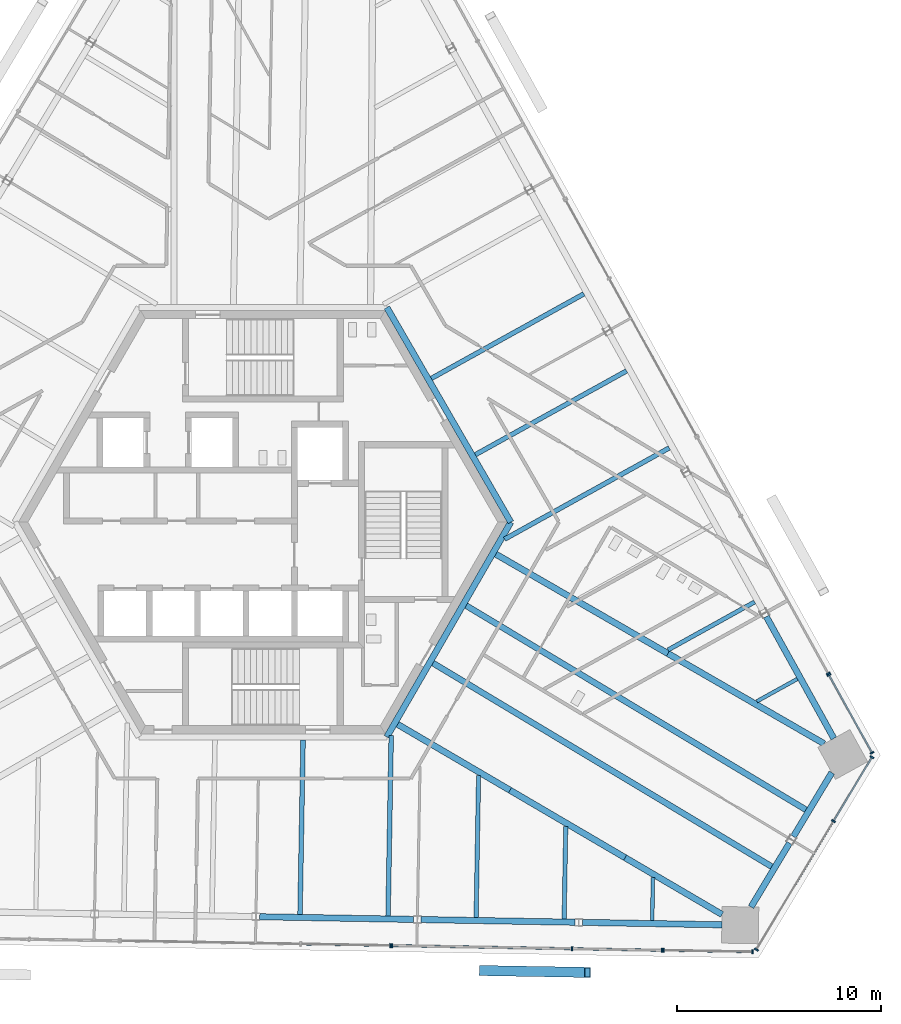
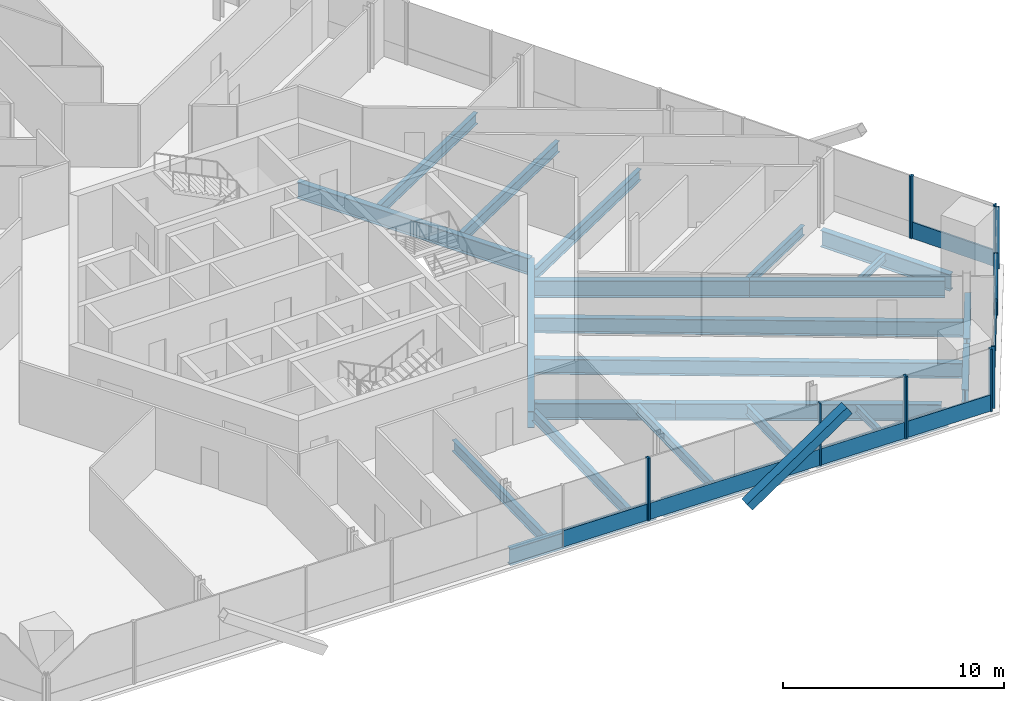
# One storey, part 6 of 19: 25 beams, 20 members, 6 elements without a shape of their own.
"""IFC4 building model written with IfcOpenShell, lengths in metres."""

from ifc_helpers import new_model, si_unit, direction, frame, origin, origin_2d, place, context, subcontext, project, spatial, rectangle, hollow_rectangle, i_section, extrude, source, transform, mapped, material, material_profile, profile_set, type_object, element, aggregate, save


model = new_model("IFC4")

# Units and contexts
model_context = context("Model", 3, precision=1e-05, world=origin(), true_north=direction((0.0, 1.0)))
body_context = subcontext(model_context, "Body", "Model", "MODEL_VIEW")
ifc_project = project(units=[si_unit("LENGTHUNIT", "METRE"), si_unit("AREAUNIT", "SQUARE_METRE"), si_unit("VOLUMEUNIT", "CUBIC_METRE"), si_unit("PLANEANGLEUNIT", "RADIAN"), si_unit("MASSUNIT", "GRAM", prefix="KILO")], contexts=[model_context])

# Site, building, storey
site_placement = place(None, origin())
site = spatial("IfcSite", under=ifc_project, at=site_placement, CompositionType="ELEMENT")
building_placement = place(site_placement, origin())
building = spatial("IfcBuilding", under=site, at=building_placement, Name="Triune Harvest Tower", CompositionType="ELEMENT")
storey_placement = place(building_placement, frame((0.0, 0.0, 205.10009765625)))
storey = spatial("IfcBuildingStorey", under=building, at=storey_placement, Name="L53", CompositionType="ELEMENT", Elevation=205.10009765625)

# Beams
ifc_material_1 = material(Name="Steel ASTM A992 Gr 50", Category="steel")
ifc_material_profile_1 = material_profile(ifc_material_1, i_section(OverallWidth=0.3046875, OverallDepth=0.914306640625, WebThickness=0.0166015625, FlangeThickness=0.02587890625, at=origin_2d()), Name="W36x160")
ifc_profile_set_1 = profile_set([ifc_material_profile_1], Name="Steel ASTM A992 Gr 50")
beam_type_1 = type_object("IfcBeamType", Name="CG-1 Core ring girder W36x160", PredefinedType="BEAM", material=ifc_profile_set_1)
shared_shape_1 = source(origin(), body_context, "Body", "SweptSolid", [
    extrude(i_section(OverallWidth=0.3046875, OverallDepth=0.914306640625, WebThickness=0.0166015625, FlangeThickness=0.02587890625, at=origin_2d()), origin(), (0.0, 0.0, 1.0), 12.176025390625),
])
for number, where, z_axis, x_axis, name in (
    (1, (12.176025390625, 0.0, -0.6171875), (-0.5000099932, 0.866019634131, 0.0), (-0.866019634131, -0.5000099932, 0.0), "beam/L53/CG1"),
    (2, (6.087890625, -10.544677734375, -0.6171875), (0.5000099932, 0.866019634131, 0.0), (-0.866019634131, 0.5000099932, 0.0), "beam/L53/CG6"),
):
    element("IfcBeam", number, at=place(storey_placement, frame(where, z_axis=z_axis, x_axis=x_axis)), inside=storey, type_object=beam_type_1, Name=name, PredefinedType="BEAM", context=body_context, shape_type="MappedRepresentation", body=[
        mapped(shared_shape_1, transform((0.0, 0.0, 0.0), scale=1.0)),
    ])
ifc_material_2 = material(Name="Steel ASTM A992 Gr 50", Category="steel")
ifc_material_profile_2 = material_profile(ifc_material_2, i_section(OverallWidth=0.307373046875, OverallDepth=0.922119140625, WebThickness=0.018310546875, FlangeThickness=0.030029296875, at=origin_2d()), Name="W36x182")
ifc_profile_set_2 = profile_set([ifc_material_profile_2], Name="Steel ASTM A992 Gr 50")
beam_type_2 = type_object("IfcBeamType", Name="HG-2 Hip girder W36x182", PredefinedType="BEAM", material=ifc_profile_set_2)
shared_shape_2 = source(origin(), body_context, "Body", "SweptSolid", [
    extrude(i_section(OverallWidth=0.307373046875, OverallDepth=0.922119140625, WebThickness=0.018310546875, FlangeThickness=0.030029296875, at=origin_2d()), origin(), (0.0, 0.0, 1.0), 9.7568359375),
])
beam_1_placement = place(storey_placement, frame((19.893310546875, -6.451904296875, -0.62109375), z_axis=(-0.866026409454, 0.499998258125, 0.0), x_axis=(-0.499998258125, -0.866026409454, 0.0)))
element("IfcBeam", 3, at=beam_1_placement, inside=storey, type_object=beam_type_2, Name="beam/L53/HG2", PredefinedType="BEAM", context=body_context, shape_type="MappedRepresentation", body=[
    mapped(shared_shape_2, transform((0.0, 0.0, 0.0), scale=1.0)),
])
shared_shape_3 = source(origin(), body_context, "Body", "SweptSolid", [
    extrude(i_section(OverallWidth=0.307373046875, OverallDepth=0.922119140625, WebThickness=0.018310546875, FlangeThickness=0.030029296875, at=origin_2d()), origin(), (0.0, 0.0, 1.0), 6.549560546875),
])
beam_2_placement = place(storey_placement, frame((17.789306640625, -16.475341796875, -0.62109375), z_axis=(-0.862742829324, 0.50564296737, 0.0), x_axis=(-0.50564296737, -0.862742829324, 0.0)))
element("IfcBeam", 4, at=beam_2_placement, inside=storey, type_object=beam_type_2, Name="beam/L53/HG9", PredefinedType="BEAM", context=body_context, shape_type="MappedRepresentation", body=[
    mapped(shared_shape_3, transform((0.0, 0.0, 0.0), scale=1.0)),
])
shared_shape_4 = source(origin(), body_context, "Body", "SweptSolid", [
    extrude(i_section(OverallWidth=0.307373046875, OverallDepth=0.922119140625, WebThickness=0.018310546875, FlangeThickness=0.030029296875, at=origin_2d()), origin(), (0.0, 0.0, 1.0), 6.397216796875),
])
beam_3_placement = place(storey_placement, frame((12.138671875, -13.16357421875, -0.62109375), z_axis=(-0.862754230068, 0.505623514583, 0.0), x_axis=(-0.505623514583, -0.862754230068, 0.0)))
element("IfcBeam", 5, at=beam_3_placement, inside=storey, type_object=beam_type_2, Name="beam/L53/HG10", PredefinedType="BEAM", context=body_context, shape_type="MappedRepresentation", body=[
    mapped(shared_shape_4, transform((0.0, 0.0, 0.0), scale=1.0)),
])
ifc_material_3 = material(Name="Steel ASTM A992 Gr 50", Category="steel")
ifc_material_profile_3 = material_profile(ifc_material_3, i_section(OverallWidth=0.3046875, OverallDepth=0.914306640625, WebThickness=0.0166015625, FlangeThickness=0.02587890625, at=origin_2d()), Name="W36x160")
ifc_profile_set_3 = profile_set([ifc_material_profile_3], Name="Steel ASTM A992 Gr 50")
beam_type_3 = type_object("IfcBeamType", Name="SB-1 Spandrel beam W36x160", PredefinedType="SPANDREL", material=ifc_profile_set_3)
shared_shape_5 = source(origin(), body_context, "Body", "SweptSolid", [
    extrude(i_section(OverallWidth=0.3046875, OverallDepth=0.914306640625, WebThickness=0.0166015625, FlangeThickness=0.02587890625, at=origin_2d()), origin(), (0.0, 0.0, 1.0), 6.841796875),
])
for number, where, z_axis, x_axis, name in (
    (6, (28.0390625, -10.61962890625, -0.6171875), (-0.484833781575, 0.87460631386, 0.0), (-0.87460631386, -0.484833781575, 0.0), "beam/L53/SB1"),
    (7, (15.69921875, -19.65185546875, -0.6171875), (0.999847128578, -0.017484835582, 0.0), (0.017484835582, 0.999847128578, 0.0), "beam/L53/SB22"),
):
    element("IfcBeam", number, at=place(storey_placement, frame(where, z_axis=z_axis, x_axis=x_axis)), inside=storey, type_object=beam_type_3, Name=name, PredefinedType="SPANDREL", context=body_context, shape_type="MappedRepresentation", body=[
        mapped(shared_shape_5, transform((0.0, 0.0, 0.0), scale=1.0)),
    ])
shared_shape_6 = source(origin(), body_context, "Body", "SweptSolid", [
    extrude(i_section(OverallWidth=0.3046875, OverallDepth=0.914306640625, WebThickness=0.0166015625, FlangeThickness=0.02587890625, at=origin_2d()), origin(), (0.0, 0.0, 1.0), 3.66357421875),
])
beam_4_placement = place(storey_placement, frame((23.97509765625, -18.896240234375, -0.6171875), z_axis=(0.51504443288, 0.857163480416, 0.0), x_axis=(-0.857163480416, 0.51504443288, 0.0)))
element("IfcBeam", 8, at=beam_4_placement, inside=storey, type_object=beam_type_3, Name="beam/L53/SB23", PredefinedType="SPANDREL", context=body_context, shape_type="MappedRepresentation", body=[
    mapped(shared_shape_6, transform((0.0, 0.0, 0.0), scale=1.0)),
])
shared_shape_7 = source(origin(), body_context, "Body", "SweptSolid", [
    extrude(i_section(OverallWidth=0.3046875, OverallDepth=0.914306640625, WebThickness=0.0166015625, FlangeThickness=0.02587890625, at=origin_2d()), origin(), (0.0, 0.0, 1.0), 7.556640625),
])
for number, where, z_axis, x_axis, name in (
    (9, (-0.15283203125, -19.375244140625, -0.6171875), (0.999847797686, -0.017446531514, 0.0), (0.017446531514, 0.999847797686, 0.0), "beam/L53/SB20"),
    (10, (7.773193359375, -19.513671875, -0.6171875), (0.999847797686, -0.017446531514, 0.0), (0.017446531514, 0.999847797686, 0.0), "beam/L53/SB21"),
):
    element("IfcBeam", number, at=place(storey_placement, frame(where, z_axis=z_axis, x_axis=x_axis)), inside=storey, type_object=beam_type_3, Name=name, PredefinedType="SPANDREL", context=body_context, shape_type="MappedRepresentation", body=[
        mapped(shared_shape_7, transform((0.0, 0.0, 0.0), scale=1.0)),
    ])
shared_shape_8 = source(origin(), body_context, "Body", "SweptSolid", [
    extrude(i_section(OverallWidth=0.3046875, OverallDepth=0.914306640625, WebThickness=0.0166015625, FlangeThickness=0.02587890625, at=origin_2d()), origin(), (0.0, 0.0, 1.0), 3.663818359375),
])
beam_5_placement = place(storey_placement, frame((26.052978515625, -15.43798828125, -0.6171875), z_axis=(0.515093391182, 0.857134060903, 0.0), x_axis=(-0.857134060903, 0.515093391182, 0.0)))
element("IfcBeam", 11, at=beam_5_placement, inside=storey, type_object=beam_type_3, Name="beam/L53/SB24", PredefinedType="SPANDREL", context=body_context, shape_type="MappedRepresentation", body=[
    mapped(shared_shape_8, transform((0.0, 0.0, 0.0), scale=1.0)),
])
shared_shape_9 = source(origin(), body_context, "Body", "SweptSolid", [
    extrude(i_section(OverallWidth=0.307373046875, OverallDepth=0.922119140625, WebThickness=0.018310546875, FlangeThickness=0.030029296875, at=origin_2d()), origin(), (0.0, 0.0, 1.0), 8.859619140625),
])
beam_6_placement = place(storey_placement, frame((27.56591796875, -10.8818359375, -0.62109375), z_axis=(-0.866018088107, 0.500012670911, 0.0), x_axis=(-0.500012670911, -0.866018088107, 0.0)))
element("IfcBeam", 12, at=beam_6_placement, inside=storey, type_object=beam_type_2, Name="beam/L53/HG1", PredefinedType="BEAM", context=body_context, shape_type="MappedRepresentation", body=[
    mapped(shared_shape_9, transform((0.0, 0.0, 0.0), scale=1.0)),
])
shared_shape_10 = source(origin(), body_context, "Body", "SweptSolid", [
    extrude(i_section(OverallWidth=0.307373046875, OverallDepth=0.922119140625, WebThickness=0.018310546875, FlangeThickness=0.030029296875, at=origin_2d()), origin(), (0.0, 0.0, 1.0), 5.516845703125),
])
beam_7_placement = place(storey_placement, frame((22.548828125, -19.264892578125, -0.62109375), z_axis=(-0.862738579495, 0.505650218482, 0.0), x_axis=(-0.505650218482, -0.862738579495, 0.0)))
element("IfcBeam", 13, at=beam_7_placement, inside=storey, type_object=beam_type_2, Name="beam/L53/HG8", PredefinedType="BEAM", context=body_context, shape_type="MappedRepresentation", body=[
    mapped(shared_shape_10, transform((0.0, 0.0, 0.0), scale=1.0)),
])
ifc_material_4 = material(Name="Steel ASTM A992 Gr 50", Category="steel")
ifc_material_profile_4 = material_profile(ifc_material_4, i_section(OverallWidth=0.180908203125, OverallDepth=0.41650390625, WebThickness=0.010986328125, FlangeThickness=0.01806640625, at=origin_2d()), Name="W16x57")
ifc_profile_set_4 = profile_set([ifc_material_profile_4], Name="Steel ASTM A992 Gr 50")
beam_type_4 = type_object("IfcBeamType", Name="JT-1 Floor joist W16x57", PredefinedType="JOIST", material=ifc_profile_set_4)
shared_shape_11 = source(origin(), body_context, "Body", "SweptSolid", [
    extrude(i_section(OverallWidth=0.180908203125, OverallDepth=0.41650390625, WebThickness=0.010986328125, FlangeThickness=0.01806640625, at=origin_2d()), origin(), (0.0, 0.0, 1.0), 2.266357421875),
])
beam_8_placement = place(storey_placement, frame((26.24560546875, -7.698974609375, -0.368408203125), z_axis=(-0.874639585413, -0.484773757157, 0.0), x_axis=(0.484773757157, -0.874639585413, 0.0)))
element("IfcBeam", 14, at=beam_8_placement, inside=storey, type_object=beam_type_4, Name="beam/L53/JT1", PredefinedType="JOIST", context=body_context, shape_type="MappedRepresentation", body=[
    mapped(shared_shape_11, transform((0.0, 0.0, 0.0), scale=1.0)),
])
ifc_material_5 = material(Name="Steel ASTM A992 Gr 50", Category="steel")
ifc_material_profile_5 = material_profile(ifc_material_5, i_section(OverallWidth=0.2099609375, OverallDepth=0.535888671875, WebThickness=0.010986328125, FlangeThickness=0.017333984375, at=origin_2d()), Name="W21x68")
ifc_profile_set_5 = profile_set([ifc_material_profile_5], Name="Steel ASTM A992 Gr 50")
beam_type_5 = type_object("IfcBeamType", Name="JT-2 Floor joist W21x68", PredefinedType="JOIST", material=ifc_profile_set_5)
shared_shape_12 = source(origin(), body_context, "Body", "SweptSolid", [
    extrude(i_section(OverallWidth=0.2099609375, OverallDepth=0.535888671875, WebThickness=0.010986328125, FlangeThickness=0.017333984375, at=origin_2d()), origin(), (0.0, 0.0, 1.0), 4.8642578125),
])
beam_9_placement = place(storey_placement, frame((24.1494140625, -3.9169921875, -0.427978515625), z_axis=(-0.874606715021, -0.484833057908, 0.0), x_axis=(0.484833057908, -0.874606715021, 0.0)))
element("IfcBeam", 15, at=beam_9_placement, inside=storey, type_object=beam_type_5, Name="beam/L53/JT2", PredefinedType="JOIST", context=body_context, shape_type="MappedRepresentation", body=[
    mapped(shared_shape_12, transform((0.0, 0.0, 0.0), scale=1.0)),
])
ifc_material_6 = material(Name="Steel ASTM A992 Gr 50", Category="steel")
ifc_material_profile_6 = material_profile(ifc_material_6, i_section(OverallWidth=0.22900390625, OverallDepth=0.612060546875, WebThickness=0.011962890625, FlangeThickness=0.01953125, at=origin_2d()), Name="W24x84")
ifc_profile_set_6 = profile_set([ifc_material_profile_6], Name="Steel ASTM A992 Gr 50")
beam_type_6 = type_object("IfcBeamType", Name="JT-3 Floor joist W24x84", PredefinedType="JOIST", material=ifc_profile_set_6)
shared_shape_13 = source(origin(), body_context, "Body", "SweptSolid", [
    extrude(i_section(OverallWidth=0.22900390625, OverallDepth=0.612060546875, WebThickness=0.011962890625, FlangeThickness=0.01953125, at=origin_2d()), origin(), (0.0, 0.0, 1.0), 9.247314453125),
])
beam_10_placement = place(storey_placement, frame((19.956787109375, 3.646484375, -0.46630859375), z_axis=(-0.874621389222, -0.484806585676, 0.0), x_axis=(0.484806585676, -0.874621389222, 0.0)))
element("IfcBeam", 16, at=beam_10_placement, inside=storey, type_object=beam_type_6, Name="beam/L53/JT4", PredefinedType="JOIST", context=body_context, shape_type="MappedRepresentation", body=[
    mapped(shared_shape_13, transform((0.0, 0.0, 0.0), scale=1.0)),
])
shared_shape_14 = source(origin(), body_context, "Body", "SweptSolid", [
    extrude(i_section(OverallWidth=0.22900390625, OverallDepth=0.612060546875, WebThickness=0.011962890625, FlangeThickness=0.01953125, at=origin_2d()), origin(), (0.0, 0.0, 1.0), 8.486083984375),
])
beam_11_placement = place(storey_placement, frame((17.860595703125, 7.42822265625, -0.46630859375), z_axis=(-0.874626410095, -0.484797527598, 0.0), x_axis=(0.484797527598, -0.874626410095, 0.0)))
element("IfcBeam", 17, at=beam_11_placement, inside=storey, type_object=beam_type_6, Name="beam/L53/JT5", PredefinedType="JOIST", context=body_context, shape_type="MappedRepresentation", body=[
    mapped(shared_shape_14, transform((0.0, 0.0, 0.0), scale=1.0)),
])
shared_shape_15 = source(origin(), body_context, "Body", "SweptSolid", [
    extrude(i_section(OverallWidth=0.22900390625, OverallDepth=0.612060546875, WebThickness=0.011962890625, FlangeThickness=0.01953125, at=origin_2d()), origin(), (0.0, 0.0, 1.0), 8.561767578125),
])
beam_12_placement = place(storey_placement, frame((15.764404296875, 11.210205078125, -0.46630859375), z_axis=(-0.87461689263, -0.484814697721, 0.0), x_axis=(0.484814697721, -0.87461689263, 0.0)))
element("IfcBeam", 18, at=beam_12_placement, inside=storey, type_object=beam_type_6, Name="beam/L53/JT6", PredefinedType="JOIST", context=body_context, shape_type="MappedRepresentation", body=[
    mapped(shared_shape_15, transform((0.0, 0.0, 0.0), scale=1.0)),
])
ifc_material_7 = material(Name="Steel ASTM A992 Gr 50", Category="steel")
ifc_material_profile_7 = material_profile(ifc_material_7, i_section(OverallWidth=0.2919921875, OverallDepth=0.8408203125, WebThickness=0.0146484375, FlangeThickness=0.021728515625, at=origin_2d()), Name="W33x130")
ifc_profile_set_7 = profile_set([ifc_material_profile_7], Name="Steel ASTM A992 Gr 50")
beam_type_7 = type_object("IfcBeamType", Name="JT-6 Floor joist W33x130", PredefinedType="JOIST", material=ifc_profile_set_7)
shared_shape_16 = source(origin(), body_context, "Body", "SweptSolid", [
    extrude(i_section(OverallWidth=0.2919921875, OverallDepth=0.8408203125, WebThickness=0.0146484375, FlangeThickness=0.021728515625, at=origin_2d()), origin(), (0.0, 0.0, 1.0), 19.403564453125),
])
beam_13_placement = place(storey_placement, frame((24.98779296875, -16.915283203125, -0.58056640625), z_axis=(-0.857165243619, 0.515041498456, 0.0), x_axis=(-0.515041498456, -0.857165243619, 0.0)))
element("IfcBeam", 19, at=beam_13_placement, inside=storey, type_object=beam_type_7, Name="beam/L53/JT35", PredefinedType="JOIST", context=body_context, shape_type="MappedRepresentation", body=[
    mapped(shared_shape_16, transform((0.0, 0.0, 0.0), scale=1.0)),
])
shared_shape_17 = source(origin(), body_context, "Body", "SweptSolid", [
    extrude(i_section(OverallWidth=0.2919921875, OverallDepth=0.8408203125, WebThickness=0.0146484375, FlangeThickness=0.021728515625, at=origin_2d()), origin(), (0.0, 0.0, 1.0), 19.460205078125),
])
beam_14_placement = place(storey_placement, frame((26.666259765625, -14.12158203125, -0.58056640625), z_axis=(-0.85716841359, 0.515036222749, 0.0), x_axis=(-0.515036222749, -0.85716841359, 0.0)))
element("IfcBeam", 20, at=beam_14_placement, inside=storey, type_object=beam_type_7, Name="beam/L53/JT36", PredefinedType="JOIST", context=body_context, shape_type="MappedRepresentation", body=[
    mapped(shared_shape_17, transform((0.0, 0.0, 0.0), scale=1.0)),
])
shared_shape_18 = source(origin(), body_context, "Body", "SweptSolid", [
    extrude(i_section(OverallWidth=0.22900390625, OverallDepth=0.612060546875, WebThickness=0.011962890625, FlangeThickness=0.01953125, at=origin_2d()), origin(), (0.0, 0.0, 1.0), 8.5615234375),
])
beam_15_placement = place(storey_placement, frame((1.826171875, -19.25732421875, -0.46630859375), z_axis=(0.017451638412, 0.999847708562, 0.0), x_axis=(-0.999847708562, 0.017451638412, 0.0)))
element("IfcBeam", 21, at=beam_15_placement, inside=storey, type_object=beam_type_6, Name="beam/L53/JT30", PredefinedType="JOIST", context=body_context, shape_type="MappedRepresentation", body=[
    mapped(shared_shape_18, transform((0.0, 0.0, 0.0), scale=1.0)),
])
shared_shape_19 = source(origin(), body_context, "Body", "SweptSolid", [
    extrude(i_section(OverallWidth=0.180908203125, OverallDepth=0.41650390625, WebThickness=0.010986328125, FlangeThickness=0.01806640625, at=origin_2d()), origin(), (0.0, 0.0, 1.0), 2.104736328125),
])
beam_16_placement = place(storey_placement, frame((19.119384765625, -19.55908203125, -0.368408203125), z_axis=(0.017398758065, 0.999848630152, 0.0), x_axis=(-0.999848630152, 0.017398758065, 0.0)))
element("IfcBeam", 22, at=beam_16_placement, inside=storey, type_object=beam_type_4, Name="beam/L53/JT34", PredefinedType="JOIST", context=body_context, shape_type="MappedRepresentation", body=[
    mapped(shared_shape_19, transform((0.0, 0.0, 0.0), scale=1.0)),
])
shared_shape_20 = source(origin(), body_context, "Body", "SweptSolid", [
    extrude(i_section(OverallWidth=0.22900390625, OverallDepth=0.612060546875, WebThickness=0.011962890625, FlangeThickness=0.01953125, at=origin_2d()), origin(), (0.0, 0.0, 1.0), 8.859130859375),
])
beam_17_placement = place(storey_placement, frame((6.1494140625, -19.3330078125, -0.46630859375), z_axis=(0.017472043805, 0.999847352192, 0.0), x_axis=(-0.999847352192, 0.017472043805, 0.0)))
element("IfcBeam", 23, at=beam_17_placement, inside=storey, type_object=beam_type_6, Name="beam/L53/JT31", PredefinedType="JOIST", context=body_context, shape_type="MappedRepresentation", body=[
    mapped(shared_shape_20, transform((0.0, 0.0, 0.0), scale=1.0)),
])
shared_shape_21 = source(origin(), body_context, "Body", "SweptSolid", [
    extrude(i_section(OverallWidth=0.2099609375, OverallDepth=0.535888671875, WebThickness=0.010986328125, FlangeThickness=0.017333984375, at=origin_2d()), origin(), (0.0, 0.0, 1.0), 6.972412109375),
])
beam_18_placement = place(storey_placement, frame((10.47265625, -19.408203125, -0.427978515625), z_axis=(0.017472380522, 0.999847346308, 0.0), x_axis=(-0.999847346308, 0.017472380522, 0.0)))
element("IfcBeam", 24, at=beam_18_placement, inside=storey, type_object=beam_type_5, Name="beam/L53/JT32", PredefinedType="JOIST", context=body_context, shape_type="MappedRepresentation", body=[
    mapped(shared_shape_21, transform((0.0, 0.0, 0.0), scale=1.0)),
])
shared_shape_22 = source(origin(), body_context, "Body", "SweptSolid", [
    extrude(i_section(OverallWidth=0.2099609375, OverallDepth=0.535888671875, WebThickness=0.010986328125, FlangeThickness=0.017333984375, at=origin_2d()), origin(), (0.0, 0.0, 1.0), 4.5390625),
])
beam_19_placement = place(storey_placement, frame((14.7958984375, -19.48388671875, -0.427978515625), z_axis=(0.017480786476, 0.999847199378, 0.0), x_axis=(-0.999847199378, 0.017480786476, 0.0)))
element("IfcBeam", 25, at=beam_19_placement, inside=storey, type_object=beam_type_5, Name="beam/L53/JT33", PredefinedType="JOIST", context=body_context, shape_type="MappedRepresentation", body=[
    mapped(shared_shape_22, transform((0.0, 0.0, 0.0), scale=1.0)),
])

# Member
ifc_material_8 = material(Name="Steel ASTM A572 Gr 50", Category="steel")
ifc_material_profile_8 = material_profile(ifc_material_8, hollow_rectangle(XDim=0.5, YDim=0.5, WallThickness=0.030029296875, at=origin_2d()), Name="Box 500x500x30")
ifc_profile_set_8 = profile_set([ifc_material_profile_8], Name="Steel ASTM A572 Gr 50")
member_type_1 = type_object("IfcMemberType", Name="BR-3 Brace Box 500x500x30", PredefinedType="BRACE", material=ifc_profile_set_8)
shared_shape_23 = source(origin(), body_context, "Body", "SweptSolid", [
    extrude(hollow_rectangle(XDim=0.5, YDim=0.5, WallThickness=0.030029296875, at=origin_2d()), origin(), (0.0, 0.0, 1.0), 6.302734375),
])
member_1_placement = place(storey_placement, frame((10.772216796875, -22.018310546875, 0.0), z_axis=(0.820707963398, -0.014332465496, 0.5711681182), x_axis=(0.017460876598, 0.999847547273, 0.0)))
element("IfcMember", 26, at=member_1_placement, inside=storey, type_object=member_type_1, Name="brace/B5-F5/d1/8", PredefinedType="BRACE", context=body_context, shape_type="MappedRepresentation", body=[
    mapped(shared_shape_23, transform((0.0, 0.0, 0.0), scale=1.0)),
])

# Curtain wall, members
ifc_material_9 = material(Name="Aluminium bronze anodised", Category="aluminium")
curtain_wall_type_1 = type_object("IfcCurtainWallType", Name="CW-1 Tower stick curtain wall", PredefinedType="NOTDEFINED", material=ifc_material_9)
curtain_wall_1_placement = place(storey_placement, origin())
curtain_wall_1 = element("IfcCurtainWall", 27, at=curtain_wall_1_placement, inside=storey, type_object=curtain_wall_type_1, Name="CW-1 B5-F1 L53 run 1")
ifc_material_10 = material(Name="Aluminium bronze anodised", Category="aluminium")
ifc_material_profile_9 = material_profile(ifc_material_10, rectangle(XDim=0.199951171875, YDim=0.074951171875, at=origin_2d()), Name="MU-1 mullion 75 x 200")
ifc_profile_set_9 = profile_set([ifc_material_profile_9], Name="Aluminium bronze anodised")
member_type_2 = type_object("IfcMemberType", Name="MU-1 mullion 75 x 200", PredefinedType="MULLION", material=ifc_profile_set_9)
shared_shape_24 = source(origin(), body_context, "Body", "SweptSolid", [
    extrude(rectangle(XDim=0.199951171875, YDim=0.074951171875, at=origin_2d()), origin(), (0.0, 0.0, 1.0), 3.43994140625),
])
member_2_placement = place(storey_placement, frame((29.916748046875, -11.321533203125, 0.0), z_axis=(0.0, 0.0, 1.0), x_axis=(-0.874617675173, -0.484813285993, 0.0)))
member_2 = element("IfcMember", 28, at=member_2_placement, type_object=member_type_2, Name="CW-1 mullion B5-F1 1.1", PredefinedType="MULLION", context=body_context, shape_type="MappedRepresentation", body=[
    mapped(shared_shape_24, transform((0.0, 0.0, 0.0), scale=1.0)),
])
member_3_placement = place(storey_placement, frame((27.798583984375, -7.5, 0.0), z_axis=(0.0, 0.0, 1.0), x_axis=(-0.874617675173, -0.484813285993, 0.0)))
member_3 = element("IfcMember", 29, at=member_3_placement, type_object=member_type_2, Name="CW-1 mullion B5-F1 1.2", PredefinedType="MULLION", context=body_context, shape_type="MappedRepresentation", body=[
    mapped(shared_shape_24, transform((0.0, 0.0, 0.0), scale=1.0)),
])

# Curtain wall, member
ifc_material_11 = material(Name="Aluminium bronze anodised", Category="aluminium")
curtain_wall_type_2 = type_object("IfcCurtainWallType", Name="CW-7 Tower stick curtain wall with insulated spandrel infill", PredefinedType="NOTDEFINED", material=ifc_material_11)
curtain_wall_2_placement = place(storey_placement, origin())
curtain_wall_2 = element("IfcCurtainWall", 30, at=curtain_wall_2_placement, inside=storey, type_object=curtain_wall_type_2, Name="CW-7 B5-F1 L53 run 1001")
member_4_placement = place(storey_placement, frame((27.76220703125, -7.4345703125, 0.0), z_axis=(0.0, 0.0, 1.0), x_axis=(-0.874621401605, -0.484806563337, 0.0)))
member_4 = element("IfcMember", 31, at=member_4_placement, type_object=member_type_2, Name="CW-7 mullion B5-F1 1001.1", PredefinedType="MULLION", context=body_context, shape_type="MappedRepresentation", body=[
    mapped(shared_shape_24, transform((0.0, 0.0, 0.0), scale=1.0)),
])
aggregate(curtain_wall_2, [member_4])

curtain_wall_3_placement = place(storey_placement, origin())
curtain_wall_3 = element("IfcCurtainWall", 32, at=curtain_wall_3_placement, inside=storey, type_object=curtain_wall_type_1, Name="CW-1 B5-F5 L53 run 2001")
member_5_placement = place(storey_placement, frame((6.26708984375, -20.78955078125, 0.0), z_axis=(0.0, 0.0, 1.0), x_axis=(0.017453288654, 0.999847679757, 0.0)))
member_5 = element("IfcMember", 33, at=member_5_placement, type_object=member_type_2, Name="CW-1 mullion B5-F5 2001.4", PredefinedType="MULLION", context=body_context, shape_type="MappedRepresentation", body=[
    mapped(shared_shape_24, transform((0.0, 0.0, 0.0), scale=1.0)),
])

# Curtain wall, members
curtain_wall_4_placement = place(storey_placement, origin())
curtain_wall_4 = element("IfcCurtainWall", 34, at=curtain_wall_4_placement, inside=storey, type_object=curtain_wall_type_2, Name="CW-7 B5-F5 L53 run 3001")
member_6_placement = place(storey_placement, frame((6.342041015625, -20.791015625, 0.0), z_axis=(0.0, 0.0, 1.0), x_axis=(0.017453157774, 0.999847682041, 0.0)))
member_6 = element("IfcMember", 35, at=member_6_placement, type_object=member_type_2, Name="CW-7 mullion B5-F5 3001.1", PredefinedType="MULLION", context=body_context, shape_type="MappedRepresentation", body=[
    mapped(shared_shape_24, transform((0.0, 0.0, 0.0), scale=1.0)),
])
member_7_placement = place(storey_placement, frame((15.191650390625, -20.9453125, 0.0), z_axis=(0.0, 0.0, 1.0), x_axis=(0.017453157774, 0.999847682041, 0.0)))
member_7 = element("IfcMember", 36, at=member_7_placement, type_object=member_type_2, Name="CW-7 mullion B5-F5 3001.3", PredefinedType="MULLION", context=body_context, shape_type="MappedRepresentation", body=[
    mapped(shared_shape_24, transform((0.0, 0.0, 0.0), scale=1.0)),
])
member_8_placement = place(storey_placement, frame((19.597900390625, -21.0224609375, 0.0), z_axis=(0.0, 0.0, 1.0), x_axis=(0.017453157774, 0.999847682041, 0.0)))
member_8 = element("IfcMember", 37, at=member_8_placement, type_object=member_type_2, Name="CW-7 mullion B5-F5 3001.4", PredefinedType="MULLION", context=body_context, shape_type="MappedRepresentation", body=[
    mapped(shared_shape_24, transform((0.0, 0.0, 0.0), scale=1.0)),
])

curtain_wall_5_placement = place(storey_placement, origin())
curtain_wall_5 = element("IfcCurtainWall", 38, at=curtain_wall_5_placement, inside=storey, type_object=curtain_wall_type_1, Name="CW-1 B5-F5 L53 run 4001")
member_9_placement = place(storey_placement, frame((19.6728515625, -21.023681640625, 0.0), z_axis=(0.0, 0.0, 1.0), x_axis=(0.017444710149, 0.999847829466, 0.0)))
member_9 = element("IfcMember", 39, at=member_9_placement, type_object=member_type_2, Name="CW-1 mullion B5-F5 4001.1", PredefinedType="MULLION", context=body_context, shape_type="MappedRepresentation", body=[
    mapped(shared_shape_24, transform((0.0, 0.0, 0.0), scale=1.0)),
])
member_10_placement = place(storey_placement, frame((24.04150390625, -21.099853515625, 0.0), z_axis=(0.0, 0.0, 1.0), x_axis=(0.017444710149, 0.999847829466, 0.0)))
member_10 = element("IfcMember", 40, at=member_10_placement, type_object=member_type_2, Name="CW-1 mullion B5-F5 4001.2", PredefinedType="MULLION", context=body_context, shape_type="MappedRepresentation", body=[
    mapped(shared_shape_24, transform((0.0, 0.0, 0.0), scale=1.0)),
])

curtain_wall_6_placement = place(storey_placement, origin())
curtain_wall_6 = element("IfcCurtainWall", 41, at=curtain_wall_6_placement, inside=storey, type_object=curtain_wall_type_1, Name="CW-1 B5-F6 L53 run 1")
member_11_placement = place(storey_placement, frame((24.234619140625, -20.992919921875, 0.0), z_axis=(0.0, 0.0, 1.0), x_axis=(-0.857168135313, 0.515036685882, 0.0)))
member_11 = element("IfcMember", 42, at=member_11_placement, type_object=member_type_2, Name="CW-1 mullion B5-F6 1.1", PredefinedType="MULLION", context=body_context, shape_type="MappedRepresentation", body=[
    mapped(shared_shape_24, transform((0.0, 0.0, 0.0), scale=1.0)),
])
member_12_placement = place(storey_placement, frame((28.026611328125, -14.681884765625, 0.0), z_axis=(0.0, 0.0, 1.0), x_axis=(-0.857168135313, 0.515036685882, 0.0)))
member_12 = element("IfcMember", 43, at=member_12_placement, type_object=member_type_2, Name="CW-1 mullion B5-F6 1.3", PredefinedType="MULLION", context=body_context, shape_type="MappedRepresentation", body=[
    mapped(shared_shape_24, transform((0.0, 0.0, 0.0), scale=1.0)),
])
member_13_placement = place(storey_placement, frame((29.912841796875, -11.54248046875, 0.0), z_axis=(0.0, 0.0, 1.0), x_axis=(-0.857168135313, 0.515036685882, 0.0)))
member_13 = element("IfcMember", 44, at=member_13_placement, type_object=member_type_2, Name="CW-1 mullion B5-F6 1.4", PredefinedType="MULLION", context=body_context, shape_type="MappedRepresentation", body=[
    mapped(shared_shape_24, transform((0.0, 0.0, 0.0), scale=1.0)),
])
ifc_material_12 = material(Name="Aluminium bronze anodised", Category="aluminium")
ifc_material_profile_10 = material_profile(ifc_material_12, rectangle(XDim=0.090087890625, YDim=0.89990234375, at=origin_2d()), Name="TR-1 transom 90 x 900")
ifc_profile_set_10 = profile_set([ifc_material_profile_10], Name="Aluminium bronze anodised")
member_type_3 = type_object("IfcMemberType", Name="TR-1 transom 90 x 900", PredefinedType="USERDEFINED", material=ifc_profile_set_10)
shared_shape_25 = source(origin(), body_context, "Body", "SweptSolid", [
    extrude(rectangle(XDim=0.090087890625, YDim=0.89990234375, at=origin_2d()), origin(), (0.0, 0.0, 1.0), 7.287841796875),
])
member_14_placement = place(storey_placement, frame((24.25390625, -20.960693359375, 0.449951171875), z_axis=(0.515032643637, 0.857170564117, 0.0), x_axis=(-0.857170564117, 0.515032643637, 0.0)))
member_14 = element("IfcMember", 45, at=member_14_placement, type_object=member_type_3, Name="CW-1 transom B5-F6 1.1", ObjectType="TRANSOM", PredefinedType="USERDEFINED", context=body_context, shape_type="MappedRepresentation", body=[
    mapped(shared_shape_25, transform((0.0, 0.0, 0.0), scale=1.0)),
])
shared_shape_26 = source(origin(), body_context, "Body", "SweptSolid", [
    extrude(rectangle(XDim=0.090087890625, YDim=0.89990234375, at=origin_2d()), origin(), (0.0, 0.0, 1.0), 3.587646484375),
])
member_15_placement = place(storey_placement, frame((28.0458984375, -14.649658203125, 0.449951171875), z_axis=(0.515016056834, 0.857180530112, 0.0), x_axis=(-0.857180530112, 0.515016056834, 0.0)))
member_15 = element("IfcMember", 46, at=member_15_placement, type_object=member_type_3, Name="CW-1 transom B5-F6 1.2", ObjectType="TRANSOM", PredefinedType="USERDEFINED", context=body_context, shape_type="MappedRepresentation", body=[
    mapped(shared_shape_26, transform((0.0, 0.0, 0.0), scale=1.0)),
])
aggregate(curtain_wall_6, [member_11, member_12, member_13, member_14, member_15])

# Member
shared_shape_27 = source(origin(), body_context, "Body", "SweptSolid", [
    extrude(rectangle(XDim=0.090087890625, YDim=0.89990234375, at=origin_2d()), origin(), (0.0, 0.0, 1.0), 8.776123046875),
])
member_16_placement = place(storey_placement, frame((6.37939453125, -20.79150390625, 0.449951171875), z_axis=(0.999847389159, -0.017469928229, 0.0), x_axis=(0.017469928229, 0.999847389159, 0.0)))
member_16 = element("IfcMember", 47, at=member_16_placement, type_object=member_type_3, Name="CW-7 transom B5-F5 3001.1", ObjectType="TRANSOM", PredefinedType="USERDEFINED", context=body_context, shape_type="MappedRepresentation", body=[
    mapped(shared_shape_27, transform((0.0, 0.0, 0.0), scale=1.0)),
])

shared_shape_28 = source(origin(), body_context, "Body", "SweptSolid", [
    extrude(rectangle(XDim=0.090087890625, YDim=0.89990234375, at=origin_2d()), origin(), (0.0, 0.0, 1.0), 4.331787109375),
])
member_17_placement = place(storey_placement, frame((1.8984375, -20.71337890625, 0.449951171875), z_axis=(0.999847353549, -0.017471966156, 0.0), x_axis=(0.017471966156, 0.999847353549, 0.0)))
member_17 = element("IfcMember", 48, at=member_17_placement, type_object=member_type_3, Name="CW-1 transom B5-F5 2001.2", ObjectType="TRANSOM", PredefinedType="USERDEFINED", context=body_context, shape_type="MappedRepresentation", body=[
    mapped(shared_shape_28, transform((0.0, 0.0, 0.0), scale=1.0)),
])

aggregate(curtain_wall_3, [member_5, member_17])

member_18_placement = place(storey_placement, frame((15.229248046875, -20.946044921875, 0.449951171875), z_axis=(0.999847353549, -0.017471966156, 0.0), x_axis=(0.017471966156, 0.999847353549, 0.0)))
member_18 = element("IfcMember", 49, at=member_18_placement, type_object=member_type_3, Name="CW-7 transom B5-F5 3001.2", ObjectType="TRANSOM", PredefinedType="USERDEFINED", context=body_context, shape_type="MappedRepresentation", body=[
    mapped(shared_shape_28, transform((0.0, 0.0, 0.0), scale=1.0)),
])

aggregate(curtain_wall_4, [member_6, member_7, member_8, member_16, member_18])

shared_shape_29 = source(origin(), body_context, "Body", "SweptSolid", [
    extrude(rectangle(XDim=0.090087890625, YDim=0.89990234375, at=origin_2d()), origin(), (0.0, 0.0, 1.0), 4.29443359375),
])
member_19_placement = place(storey_placement, frame((29.898681640625, -11.288818359375, 0.449951171875), z_axis=(-0.48483178017, 0.874607423326, 0.0), x_axis=(-0.874607423326, -0.48483178017, 0.0)))
member_19 = element("IfcMember", 50, at=member_19_placement, type_object=member_type_3, Name="CW-1 transom B5-F1 1.1", ObjectType="TRANSOM", PredefinedType="USERDEFINED", context=body_context, shape_type="MappedRepresentation", body=[
    mapped(shared_shape_29, transform((0.0, 0.0, 0.0), scale=1.0)),
])

aggregate(curtain_wall_1, [member_2, member_3, member_19])

member_20_placement = place(storey_placement, frame((19.710205078125, -21.0244140625, 0.449951171875), z_axis=(0.999848668012, -0.017396582272, 0.0), x_axis=(0.017396582272, 0.999848668012, 0.0)))
member_20 = element("IfcMember", 51, at=member_20_placement, type_object=member_type_3, Name="CW-1 transom B5-F5 4001.1", ObjectType="TRANSOM", PredefinedType="USERDEFINED", context=body_context, shape_type="MappedRepresentation", body=[
    mapped(shared_shape_29, transform((0.0, 0.0, 0.0), scale=1.0)),
])

aggregate(curtain_wall_5, [member_9, member_10, member_20])

save(model, "model.ifc")
